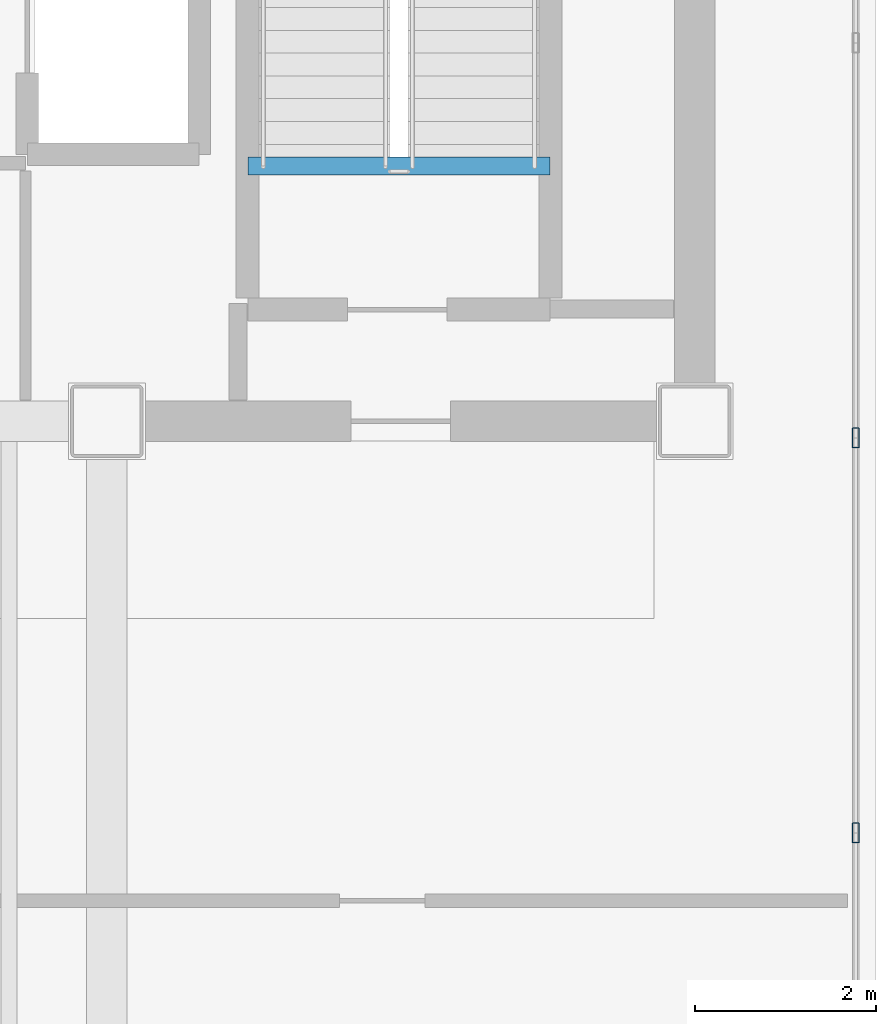
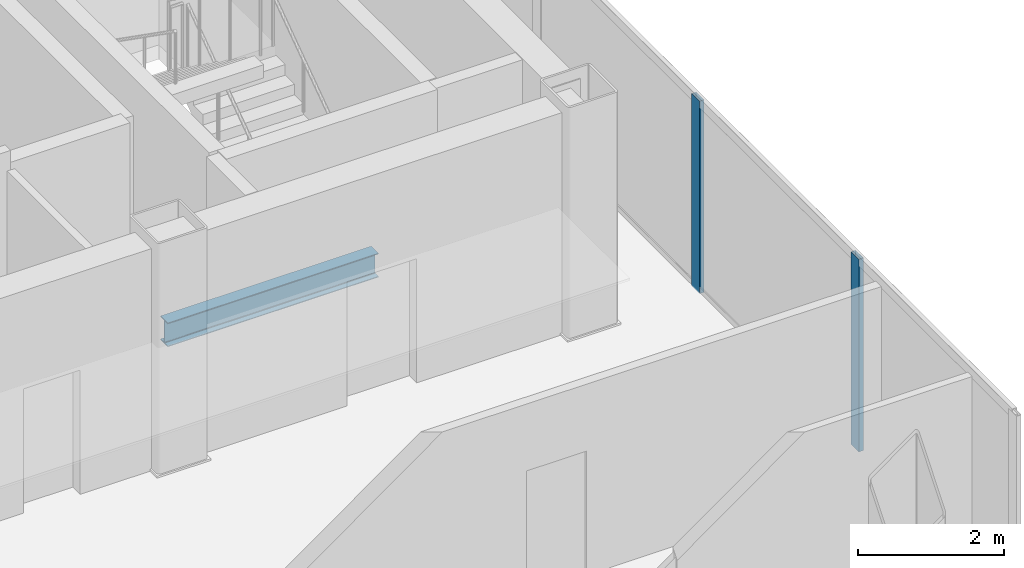
# One storey, part 13 of 19: 2 members, 1 beam, 1 element without a shape of its own.
"""IFC4 building model written with IfcOpenShell, lengths in metres."""

from ifc_helpers import new_model, si_unit, direction, frame, origin, origin_2d, place, context, subcontext, project, spatial, hollow_rectangle, i_section, extrude, material, material_profile, profile_set, type_object, element, aggregate, save


model = new_model("IFC4")

# Units and contexts
model_context = context("Model", 3, precision=1e-05, world=origin(), true_north=direction((0.0, 1.0)))
body_context = subcontext(model_context, "Body", "Model", "MODEL_VIEW")
ifc_project = project(units=[si_unit("LENGTHUNIT", "METRE"), si_unit("AREAUNIT", "SQUARE_METRE"), si_unit("VOLUMEUNIT", "CUBIC_METRE"), si_unit("PLANEANGLEUNIT", "RADIAN"), si_unit("MASSUNIT", "GRAM", prefix="KILO")], contexts=[model_context])

# Site, building, storey
site_placement = place(None, origin())
site = spatial("IfcSite", under=ifc_project, at=site_placement, CompositionType="ELEMENT")
building_placement = place(site_placement, origin())
building = spatial("IfcBuilding", under=site, at=building_placement, Name="Noeulbin Bourse Tower", CompositionType="ELEMENT")
storey_placement = place(building_placement, frame((0.0, 0.0, 257.89990234375)))
storey = spatial("IfcBuildingStorey", under=building, at=storey_placement, Name="L64", CompositionType="ELEMENT", Elevation=257.89990234375)

# Beam
ifc_material_1 = material(Name="Steel S355", Category="steel")
ifc_material_profile_1 = material_profile(ifc_material_1, i_section(OverallWidth=0.199951171875, OverallDepth=0.39990234375, WebThickness=0.008056640625, FlangeThickness=0.012939453125, FilletRadius=0.01611328125, at=origin_2d()), Name="H-400x200x8x13", Category="LoadBearing")
ifc_profile_set_1 = profile_set([ifc_material_profile_1], Name="Steel S355")
beam_type = type_object("IfcBeamType", Name="BM-SEC-400", PredefinedType="BEAM", material=ifc_profile_set_1)
beam_placement = place(storey_placement, frame((39.06005859375, 31.820068359375, -0.199951171875), z_axis=(1.0, 0.0, 0.0), x_axis=(0.0, 1.0, 0.0)))
element("IfcBeam", 1, at=beam_placement, inside=storey, type_object=beam_type, Name="Stair Threshold Trimmer Beam ST2-L64", PredefinedType="BEAM", context=body_context, shape_type="SweptSolid", body=[
    extrude(i_section(OverallWidth=0.199951171875, OverallDepth=0.39990234375, WebThickness=0.008056640625, FlangeThickness=0.012939453125, FilletRadius=0.01611328125, at=origin_2d()), origin(), (0.0, 0.0, 1.0), 3.33984375),
])

# Curtain wall, members
ifc_material_2 = material(Name="High-Selectivity Low-Iron Glazing", Category="glass")
curtain_wall_type = type_object("IfcCurtainWallType", Name="CW-SYS-4", PredefinedType="NOTDEFINED", material=ifc_material_2)
curtain_wall_placement = place(storey_placement, origin())
curtain_wall = element("IfcCurtainWall", 2, at=curtain_wall_placement, inside=storey, type_object=curtain_wall_type, Name="Unitised Curtain Wall CW-L64-E", PredefinedType="NOTDEFINED")
ifc_material_3 = material(Name="Anodised Aluminium 6063-T6", Category="aluminium")
ifc_material_profile_2 = material_profile(ifc_material_3, hollow_rectangle(XDim=0.074951171875, YDim=0.219970703125, WallThickness=0.0048828125, InnerFilletRadius=0.00244140625, OuterFilletRadius=0.0048828125, at=origin_2d()), Name="ALU-MULL-75x220x5", Category="LoadBearing")
ifc_profile_set_2 = profile_set([ifc_material_profile_2], Name="Anodised Aluminium 6063-T6")
member_type = type_object("IfcMemberType", Name="CW-SYS-4-MUL", PredefinedType="MULLION", material=ifc_profile_set_2)
member_1_placement = place(storey_placement, frame((45.780029296875, 24.447998046875, -0.02001953125), z_axis=(0.0, 0.0, 1.0), x_axis=(1.0, 0.0, 0.0)))
member_1 = element("IfcMember", 3, at=member_1_placement, type_object=member_type, Name="Curtain Wall Mullion CW-L64-E-M01", PredefinedType="MULLION", context=body_context, shape_type="SweptSolid", body=[
    extrude(hollow_rectangle(XDim=0.074951171875, YDim=0.219970703125, WallThickness=0.0048828125, InnerFilletRadius=0.00244140625, OuterFilletRadius=0.0048828125, at=origin_2d()), origin(), (0.0, 0.0, 1.0), 3.22021484375),
])
member_2_placement = place(storey_placement, frame((45.780029296875, 28.81591796875, -0.02001953125), z_axis=(0.0, 0.0, 1.0), x_axis=(1.0, 0.0, 0.0)))
member_2 = element("IfcMember", 4, at=member_2_placement, type_object=member_type, Name="Curtain Wall Mullion CW-L64-E-M02", PredefinedType="MULLION", context=body_context, shape_type="SweptSolid", body=[
    extrude(hollow_rectangle(XDim=0.074951171875, YDim=0.219970703125, WallThickness=0.0048828125, InnerFilletRadius=0.00244140625, OuterFilletRadius=0.0048828125, at=origin_2d()), origin(), (0.0, 0.0, 1.0), 3.22021484375),
])
aggregate(curtain_wall, [member_1, member_2])

save(model, "model.ifc")
